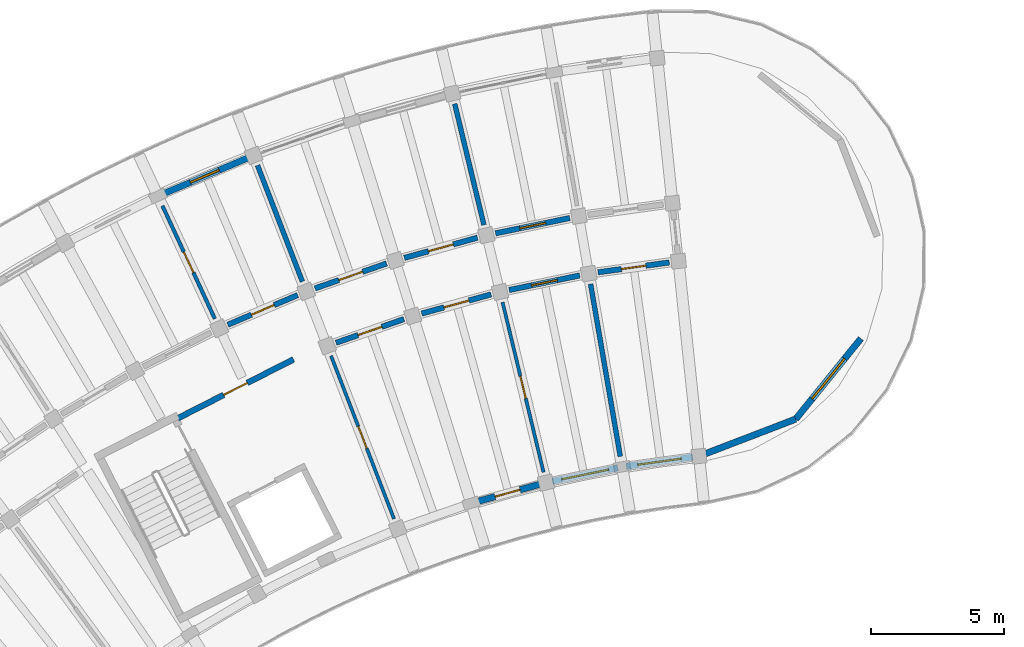
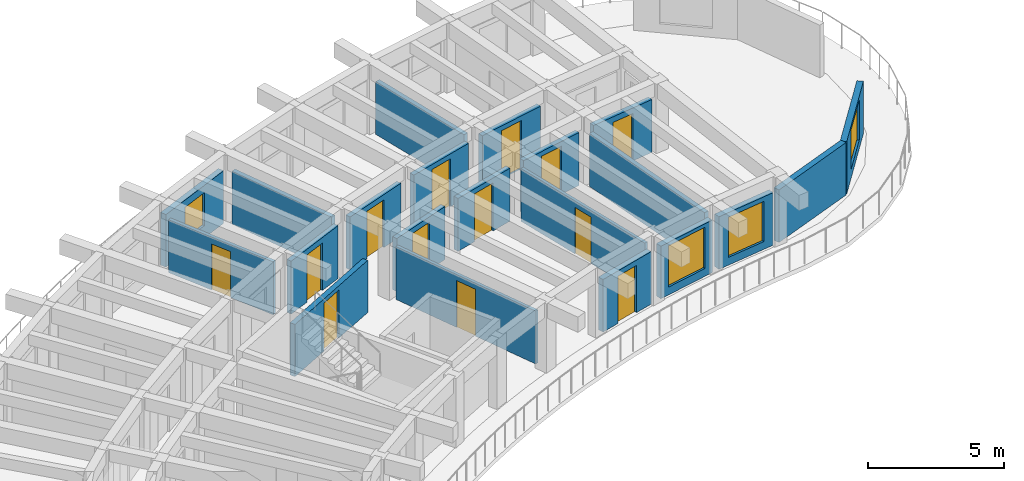
# One storey, part 63 of 96: 21 walls, 13 doors, 4 windows, 17 openings.
"""IFC4 building model written with IfcOpenShell, lengths in metres."""

from ifc_helpers import new_model, si_unit, direction, frame, frame_2d, origin, place, context, subcontext, project, spatial, rectangle, extrude, material, layer, layer_set, type_object, element, fill, save


model = new_model("IFC4")

# Units and contexts
model_context = context("Model", 3, precision=1e-05, world=origin(), true_north=direction((0.0, 1.0)))
body_context = subcontext(model_context, "Body", "Model", "MODEL_VIEW")
ifc_project = project(units=[si_unit("LENGTHUNIT", "METRE"), si_unit("AREAUNIT", "SQUARE_METRE"), si_unit("VOLUMEUNIT", "CUBIC_METRE"), si_unit("PLANEANGLEUNIT", "RADIAN"), si_unit("MASSUNIT", "GRAM", prefix="KILO")], contexts=[model_context])

# Site, building, storey
site_placement = place(None, origin())
site = spatial("IfcSite", under=ifc_project, at=site_placement, CompositionType="ELEMENT")
building_placement = place(site_placement, origin())
building = spatial("IfcBuilding", under=site, at=building_placement, Name="Tanwirah Colonnade Gardens", CompositionType="ELEMENT")
storey_placement = place(building_placement, frame((0.0, 0.0, 12.199951171875)))
storey = spatial("IfcBuildingStorey", under=building, at=storey_placement, Name="L03", CompositionType="ELEMENT", Elevation=12.199951171875)

# Wall, opening, window
ifc_material_1 = material(Name="Limestone architectural precast concrete C40/50", Category="masonry")
ifc_layer_1 = layer(ifc_material_1, 0.2451171875)
ifc_layer_set_1 = layer_set([ifc_layer_1], Name="Limestone architectural precast concrete C40/50")
wall_type_1 = type_object("IfcWallType", Name="EW-PC245", PredefinedType="SOLIDWALL", material=ifc_layer_set_1)
wall_1_placement = place(storey_placement, frame((60.111083984375, 104.372802734375, 0.0), z_axis=(0.0, 0.0, 1.0), x_axis=(-0.990545622952, -0.13718370476, 0.0)))
wall_1 = element("IfcWall", 1, at=wall_1_placement, inside=storey, type_object=wall_type_1, Name="Block A L03 IN Precast Facade Wall 0", PredefinedType="SOLIDWALL", context=body_context, shape_type="SweptSolid", body=[
    extrude(rectangle(XDim=2.525390625, YDim=0.2451171875, at=frame_2d((1.2626953125, 0.0))), origin(), (0.0, 0.0, 1.0), 2.35498046875),
])
opening_1_placement = place(wall_1_placement, frame((0.4375, 0.0, 0.35009765625)))
opening_1 = element("IfcOpeningElement", 2, at=opening_1_placement, cuts=wall_1, Name="Opening WIN-T11", PredefinedType="OPENING", context=body_context, shape_type="SweptSolid", body=[
    extrude(rectangle(XDim=1.64990234375, YDim=1.800048828125, at=frame_2d((0.824951171875, 0.89990234375))), frame((0.0, 0.132568359375, 0.0), z_axis=(0.0, -1.0, 0.0), x_axis=(1.0, 0.0, 0.0)), (0.0, 0.0, 1.0), 0.26513671875),
])
ifc_material_2 = material(Name="Thermally broken bronze aluminium and solar low-E double glazing", Category="aluminium")
window_type_1 = type_object("IfcWindowType", Name="WIN-T11", PartitioningType="DOUBLE_PANEL_VERTICAL", PredefinedType="WINDOW", material=ifc_material_2)
window_1_placement = place(opening_1_placement, origin())
window_1 = element("IfcWindow", 3, at=window_1_placement, inside=storey, type_object=window_type_1, Name="Facade window A-L03-IN-00", OverallHeight=1.800048828125, OverallWidth=1.64990234375, PartitioningType="SINGLE_PANEL", PredefinedType="WINDOW", context=body_context, shape_type="SweptSolid", body=[
    extrude(rectangle(XDim=1.64990234375, YDim=1.800048828125, at=frame_2d((0.824951171875, 0.89990234375))), frame((0.0, 0.030029296875, 0.0), z_axis=(0.0, -1.0, 0.0), x_axis=(1.0, 0.0, 0.0)), (0.0, 0.0, 1.0), 0.06005859375),
])
fill(opening_1, window_1)

wall_2_placement = place(storey_placement, frame((57.29443359375, 103.971923828125, 0.0), z_axis=(0.0, 0.0, 1.0), x_axis=(-0.979334432394, -0.20224754517, 0.0)))
wall_2 = element("IfcWall", 4, at=wall_2_placement, inside=storey, type_object=wall_type_1, Name="Block A L03 IN Precast Facade Wall 1", PredefinedType="SOLIDWALL", context=body_context, shape_type="SweptSolid", body=[
    extrude(rectangle(XDim=2.525390625, YDim=0.2451171875, at=frame_2d((1.2626953125, 0.0))), origin(), (0.0, 0.0, 1.0), 2.35498046875),
])
opening_2_placement = place(wall_2_placement, frame((0.362548828125, 0.0, 0.35009765625)))
opening_2 = element("IfcOpeningElement", 5, at=opening_2_placement, cuts=wall_2, Name="Opening WIN-T14", PredefinedType="OPENING", context=body_context, shape_type="SweptSolid", body=[
    extrude(rectangle(XDim=1.800048828125, YDim=1.85009765625, at=frame_2d((0.89990234375, 0.925048828125))), frame((0.0, 0.132568359375, 0.0), z_axis=(0.0, -1.0, 0.0), x_axis=(1.0, 0.0, 0.0)), (0.0, 0.0, 1.0), 0.26513671875),
])
window_type_2 = type_object("IfcWindowType", Name="WIN-T14", PartitioningType="TRIPLE_PANEL_VERTICAL", PredefinedType="WINDOW", material=ifc_material_2)
window_2_placement = place(opening_2_placement, origin())
window_2 = element("IfcWindow", 6, at=window_2_placement, inside=storey, type_object=window_type_2, Name="Facade window A-L03-IN-01", OverallHeight=1.85009765625, OverallWidth=1.800048828125, PartitioningType="SINGLE_PANEL", PredefinedType="WINDOW", context=body_context, shape_type="SweptSolid", body=[
    extrude(rectangle(XDim=1.800048828125, YDim=1.85009765625, at=frame_2d((0.89990234375, 0.925048828125))), frame((0.0, 0.030029296875, 0.0), z_axis=(0.0, -1.0, 0.0), x_axis=(1.0, 0.0, 0.0)), (0.0, 0.0, 1.0), 0.06005859375),
])
fill(opening_2, window_2)

# Wall, opening, door
wall_3_placement = place(storey_placement, frame((54.34521484375, 103.346435546875, 0.0), z_axis=(0.0, 0.0, 1.0), x_axis=(-0.963901971286, -0.266257375017, 0.0)))
wall_3 = element("IfcWall", 7, at=wall_3_placement, inside=storey, type_object=wall_type_1, Name="Block A L03 IN Precast Facade Wall 2", PredefinedType="SOLIDWALL", context=body_context, shape_type="SweptSolid", body=[
    extrude(rectangle(XDim=2.525146484375, YDim=0.2451171875, at=frame_2d((1.2626953125, 0.0))), origin(), (0.0, 0.0, 1.0), 2.35498046875),
])
opening_3_placement = place(wall_3_placement, frame((0.772705078125, 0.0, 0.0)))
opening_3 = element("IfcOpeningElement", 8, at=opening_3_placement, cuts=wall_3, Name="Opening L03-ED014", PredefinedType="OPENING", context=body_context, shape_type="SweptSolid", body=[
    extrude(rectangle(XDim=0.97998046875, YDim=2.1201171875, at=frame_2d((0.489990234375, 1.06005859375))), frame((0.0, 0.132568359375, 0.0), z_axis=(0.0, -1.0, 0.0), x_axis=(1.0, 0.0, 0.0)), (0.0, 0.0, 1.0), 0.26513671875),
])
ifc_material_3 = material(Name="Bronze aluminium glazed balcony door", Category="aluminium")
door_type_1 = type_object("IfcDoorType", Name="ED-BAL098", OperationType="NOTDEFINED", PredefinedType="DOOR", material=ifc_material_3)
door_1_placement = place(opening_3_placement, origin())
door_1 = element("IfcDoor", 9, at=door_1_placement, inside=storey, type_object=door_type_1, Name="Balcony glazed door L03-ED014", OperationType="SINGLE_SWING_RIGHT", OverallHeight=2.1201171875, OverallWidth=0.97998046875, PredefinedType="DOOR", context=body_context, shape_type="SweptSolid", body=[
    extrude(rectangle(XDim=0.97998046875, YDim=2.1201171875, at=frame_2d((0.489990234375, 1.06005859375))), frame((0.0, 0.02490234375, 0.0), z_axis=(0.0, -1.0, 0.0), x_axis=(1.0, 0.0, 0.0)), (0.0, 0.0, 1.0), 0.050048828125),
])
fill(opening_3, door_1)

# Wall, opening, window
wall_4_placement = place(storey_placement, frame((43.325927734375, 115.657470703125, 0.0), z_axis=(0.0, 0.0, 1.0), x_axis=(-0.920502438884, -0.390736816807, 0.0)))
wall_4 = element("IfcWall", 10, at=wall_4_placement, inside=storey, type_object=wall_type_1, Name="Block A L03 OUT Precast Facade Wall 4", PredefinedType="SOLIDWALL", context=body_context, shape_type="SweptSolid", body=[
    extrude(rectangle(XDim=3.520751953125, YDim=0.2451171875, at=frame_2d((1.76025390625, 0.0))), origin(), (0.0, 0.0, 1.0), 2.35498046875),
])
opening_4_placement = place(wall_4_placement, frame((1.17041015625, 0.0, 0.550048828125)))
opening_4 = element("IfcOpeningElement", 11, at=opening_4_placement, cuts=wall_4, Name="Opening WIN-T16", PredefinedType="OPENING", context=body_context, shape_type="SweptSolid", body=[
    extrude(rectangle(XDim=1.179931640625, YDim=1.47998046875, at=frame_2d((0.58984375, 0.739990234375))), frame((0.0, 0.132568359375, 0.0), z_axis=(0.0, -1.0, 0.0), x_axis=(1.0, 0.0, 0.0)), (0.0, 0.0, 1.0), 0.26513671875),
])
window_type_3 = type_object("IfcWindowType", Name="WIN-T16", PartitioningType="SINGLE_PANEL", PredefinedType="WINDOW", material=ifc_material_2)
window_3_placement = place(opening_4_placement, origin())
window_3 = element("IfcWindow", 12, at=window_3_placement, inside=storey, type_object=window_type_3, Name="Facade window A-L03-OUT-04", OverallHeight=1.47998046875, OverallWidth=1.179931640625, PartitioningType="SINGLE_PANEL", PredefinedType="WINDOW", context=body_context, shape_type="SweptSolid", body=[
    extrude(rectangle(XDim=1.179931640625, YDim=1.47998046875, at=frame_2d((0.58984375, 0.739990234375))), frame((0.0, 0.030029296875, 0.0), z_axis=(0.0, -1.0, 0.0), x_axis=(1.0, 0.0, 0.0)), (0.0, 0.0, 1.0), 0.06005859375),
])
fill(opening_4, window_3)

wall_5_placement = place(storey_placement, frame((66.461669921875, 108.84423828125, 0.0), z_axis=(0.0, 0.0, 1.0), x_axis=(-0.629331205321, -0.777137204109, 0.0)))
wall_5 = element("IfcWall", 13, at=wall_5_placement, inside=storey, type_object=wall_type_1, Name="Block A L03 START Rounded End Wall 4", PredefinedType="SOLIDWALL", context=body_context, shape_type="SweptSolid", body=[
    extrude(rectangle(XDim=3.907958984375, YDim=0.2451171875, at=frame_2d((1.9541015625, 0.0))), origin(), (0.0, 0.0, 1.0), 2.35498046875),
])
opening_5_placement = place(wall_5_placement, frame((0.97900390625, 0.0, 0.39990234375)))
opening_5 = element("IfcOpeningElement", 14, at=opening_5_placement, cuts=wall_5, Name="Opening WIN-END2", PredefinedType="OPENING", context=body_context, shape_type="SweptSolid", body=[
    extrude(rectangle(XDim=1.949951171875, YDim=1.780029296875, at=frame_2d((0.97509765625, 0.89013671875))), frame((0.0, 0.132568359375, 0.0), z_axis=(0.0, -1.0, 0.0), x_axis=(1.0, 0.0, 0.0)), (0.0, 0.0, 1.0), 0.26513671875),
])
window_type_4 = type_object("IfcWindowType", Name="WIN-END2", PartitioningType="TRIPLE_PANEL_VERTICAL", PredefinedType="WINDOW", material=ifc_material_2)
window_4_placement = place(opening_5_placement, origin())
window_4 = element("IfcWindow", 15, at=window_4_placement, inside=storey, type_object=window_type_4, Name="Rounded corner window A-L03-START-4", OverallHeight=1.780029296875, OverallWidth=1.949951171875, PartitioningType="SINGLE_PANEL", PredefinedType="WINDOW", context=body_context, shape_type="SweptSolid", body=[
    extrude(rectangle(XDim=1.949951171875, YDim=1.780029296875, at=frame_2d((0.97509765625, 0.89013671875))), frame((0.0, 0.030029296875, 0.0), z_axis=(0.0, -1.0, 0.0), x_axis=(1.0, 0.0, 0.0)), (0.0, 0.0, 1.0), 0.06005859375),
])
fill(opening_5, window_4)

# Wall
wall_6_placement = place(storey_placement, frame((64.002197265625, 105.80712890625, 0.0), z_axis=(0.0, 0.0, 1.0), x_axis=(-0.93356922619, -0.35839712598, 0.0)))
element("IfcWall", 16, at=wall_6_placement, inside=storey, type_object=wall_type_1, Name="Block A L03 START Rounded End Wall 5", PredefinedType="SOLIDWALL", context=body_context, shape_type="SweptSolid", body=[
    extrude(rectangle(XDim=3.907958984375, YDim=0.2451171875, at=frame_2d((1.9541015625, 0.0))), origin(), (0.0, 0.0, 1.0), 2.35498046875),
])

# Wall, opening, door
ifc_material_4 = material(Name="Precast concrete C40/50", Category="concrete")
ifc_layer_2 = layer(ifc_material_4, 0.205078125)
ifc_layer_set_2 = layer_set([ifc_layer_2], Name="Precast concrete C40/50")
wall_type_2 = type_object("IfcWallType", Name="IW-CORR205", PredefinedType="PARTITIONING", material=ifc_layer_set_2)
wall_7_placement = place(storey_placement, frame((59.2333984375, 111.718017578125, 0.0), z_axis=(0.0, 0.0, 1.0), x_axis=(-0.990535404475, -0.137257467855, 0.0)))
wall_7 = element("IfcWall", 17, at=wall_7_placement, inside=storey, type_object=wall_type_2, Name="Block A L03 IN Corridor Wall 0", PredefinedType="PARTITIONING", context=body_context, shape_type="SweptSolid", body=[
    extrude(rectangle(XDim=2.7177734375, YDim=0.205078125, at=frame_2d((1.35888671875, 0.0))), origin(), (0.0, 0.0, 1.0), 2.3701171875),
])
opening_6_placement = place(wall_7_placement, frame((0.89404296875, 0.0, 0.0)))
opening_6 = element("IfcOpeningElement", 18, at=opening_6_placement, cuts=wall_7, Name="Opening L03-AD347", PredefinedType="OPENING", context=body_context, shape_type="SweptSolid", body=[
    extrude(rectangle(XDim=0.929931640625, YDim=2.1201171875, at=frame_2d((0.46484375, 1.06005859375))), frame((0.0, 0.112548828125, 0.0), z_axis=(0.0, -1.0, 0.0), x_axis=(1.0, 0.0, 0.0)), (0.0, 0.0, 1.0), 0.22509765625),
])
ifc_material_5 = material(Name="Solid oak fire-resisting apartment entrance door")
door_type_2 = type_object("IfcDoorType", Name="ID-FLT093", OperationType="NOTDEFINED", PredefinedType="DOOR", material=ifc_material_5)
door_2_placement = place(opening_6_placement, origin())
door_2 = element("IfcDoor", 19, at=door_2_placement, inside=storey, type_object=door_type_2, Name="Apartment corridor door L03-AD347", OperationType="SINGLE_SWING_LEFT", OverallHeight=2.1201171875, OverallWidth=0.929931640625, PredefinedType="DOOR", context=body_context, shape_type="SweptSolid", body=[
    extrude(rectangle(XDim=0.929931640625, YDim=2.1201171875, at=frame_2d((0.46484375, 1.06005859375))), frame((0.0, 0.02490234375, 0.0), z_axis=(0.0, -1.0, 0.0), x_axis=(1.0, 0.0, 0.0)), (0.0, 0.0, 1.0), 0.050048828125),
])
fill(opening_6, door_2)

wall_8_placement = place(storey_placement, frame((55.47802734375, 113.39404296875, 0.0), z_axis=(0.0, 0.0, 1.0), x_axis=(-0.979348418612, -0.202179808492, 0.0)))
wall_8 = element("IfcWall", 20, at=wall_8_placement, inside=storey, type_object=wall_type_2, Name="Block A L03 OUT Corridor Wall 1", PredefinedType="PARTITIONING", context=body_context, shape_type="SweptSolid", body=[
    extrude(rectangle(XDim=2.863037109375, YDim=0.205078125, at=frame_2d((1.431640625, 0.0))), origin(), (0.0, 0.0, 1.0), 2.3701171875),
])
opening_7_placement = place(wall_8_placement, frame((0.9365234375, 0.0, 0.0)))
opening_7 = element("IfcOpeningElement", 21, at=opening_7_placement, cuts=wall_8, Name="Opening L03-AD349", PredefinedType="OPENING", context=body_context, shape_type="SweptSolid", body=[
    extrude(rectangle(XDim=0.989990234375, YDim=2.159912109375, at=frame_2d((0.4951171875, 1.080078125))), frame((0.0, 0.112548828125, 0.0), z_axis=(0.0, -1.0, 0.0), x_axis=(1.0, 0.0, 0.0)), (0.0, 0.0, 1.0), 0.22509765625),
])
door_type_3 = type_object("IfcDoorType", Name="ID-FLT099", OperationType="NOTDEFINED", PredefinedType="DOOR", material=ifc_material_5)
door_3_placement = place(opening_7_placement, origin())
door_3 = element("IfcDoor", 22, at=door_3_placement, inside=storey, type_object=door_type_3, Name="Apartment corridor door L03-AD349", OperationType="SINGLE_SWING_LEFT", OverallHeight=2.159912109375, OverallWidth=0.989990234375, PredefinedType="DOOR", context=body_context, shape_type="SweptSolid", body=[
    extrude(rectangle(XDim=0.989990234375, YDim=2.159912109375, at=frame_2d((0.4951171875, 1.080078125))), frame((0.0, 0.02490234375, 0.0), z_axis=(0.0, -1.0, 0.0), x_axis=(1.0, 0.0, 0.0)), (0.0, 0.0, 1.0), 0.050048828125),
])
fill(opening_7, door_3)

wall_9_placement = place(storey_placement, frame((55.851806640625, 111.22607421875, 0.0), z_axis=(0.0, 0.0, 1.0), x_axis=(-0.979349423541, -0.202174940608, 0.0)))
wall_9 = element("IfcWall", 23, at=wall_9_placement, inside=storey, type_object=wall_type_2, Name="Block A L03 IN Corridor Wall 1", PredefinedType="PARTITIONING", context=body_context, shape_type="SweptSolid", body=[
    extrude(rectangle(XDim=2.71826171875, YDim=0.205078125, at=frame_2d((1.359130859375, 0.0))), origin(), (0.0, 0.0, 1.0), 2.3701171875),
])
opening_8_placement = place(wall_9_placement, frame((0.864013671875, 0.0, 0.0)))
opening_8 = element("IfcOpeningElement", 24, at=opening_8_placement, cuts=wall_9, Name="Opening L03-AD350", PredefinedType="OPENING", context=body_context, shape_type="SweptSolid", body=[
    extrude(rectangle(XDim=0.989990234375, YDim=2.159912109375, at=frame_2d((0.4951171875, 1.080078125))), frame((0.0, 0.112548828125, 0.0), z_axis=(0.0, -1.0, 0.0), x_axis=(1.0, 0.0, 0.0)), (0.0, 0.0, 1.0), 0.22509765625),
])
door_4_placement = place(opening_8_placement, origin())
door_4 = element("IfcDoor", 25, at=door_4_placement, inside=storey, type_object=door_type_3, Name="Apartment corridor door L03-AD350", OperationType="SINGLE_SWING_RIGHT", OverallHeight=2.159912109375, OverallWidth=0.989990234375, PredefinedType="DOOR", context=body_context, shape_type="SweptSolid", body=[
    extrude(rectangle(XDim=0.989990234375, YDim=2.159912109375, at=frame_2d((0.4951171875, 1.080078125))), frame((0.0, 0.02490234375, 0.0), z_axis=(0.0, -1.0, 0.0), x_axis=(1.0, 0.0, 0.0)), (0.0, 0.0, 1.0), 0.050048828125),
])
fill(opening_8, door_4)

wall_10_placement = place(storey_placement, frame((51.993896484375, 112.651123046875, 0.0), z_axis=(0.0, 0.0, 1.0), x_axis=(-0.963890789093, -0.266297853356, 0.0)))
wall_10 = element("IfcWall", 26, at=wall_10_placement, inside=storey, type_object=wall_type_2, Name="Block A L03 OUT Corridor Wall 2", PredefinedType="PARTITIONING", context=body_context, shape_type="SweptSolid", body=[
    extrude(rectangle(XDim=2.863037109375, YDim=0.205078125, at=frame_2d((1.431640625, 0.0))), origin(), (0.0, 0.0, 1.0), 2.3701171875),
])
opening_9_placement = place(wall_10_placement, frame((0.946533203125, 0.0, 0.0)))
opening_9 = element("IfcOpeningElement", 27, at=opening_9_placement, cuts=wall_10, Name="Opening L03-AD352", PredefinedType="OPENING", context=body_context, shape_type="SweptSolid", body=[
    extrude(rectangle(XDim=0.969970703125, YDim=2.14990234375, at=frame_2d((0.48486328125, 1.074951171875))), frame((0.0, 0.112548828125, 0.0), z_axis=(0.0, -1.0, 0.0), x_axis=(1.0, 0.0, 0.0)), (0.0, 0.0, 1.0), 0.22509765625),
])
door_type_4 = type_object("IfcDoorType", Name="ID-FLT097", OperationType="NOTDEFINED", PredefinedType="DOOR", material=ifc_material_5)
door_5_placement = place(opening_9_placement, origin())
door_5 = element("IfcDoor", 28, at=door_5_placement, inside=storey, type_object=door_type_4, Name="Apartment corridor door L03-AD352", OperationType="SINGLE_SWING_RIGHT", OverallHeight=2.14990234375, OverallWidth=0.969970703125, PredefinedType="DOOR", context=body_context, shape_type="SweptSolid", body=[
    extrude(rectangle(XDim=0.969970703125, YDim=2.14990234375, at=frame_2d((0.48486328125, 1.074951171875))), frame((0.0, 0.02490234375, 0.0), z_axis=(0.0, -1.0, 0.0), x_axis=(1.0, 0.0, 0.0)), (0.0, 0.0, 1.0), 0.050048828125),
])
fill(opening_9, door_5)

wall_11_placement = place(storey_placement, frame((52.509521484375, 110.512451171875, 0.0), z_axis=(0.0, 0.0, 1.0), x_axis=(-0.96388375821, -0.266323301006, 0.0)))
wall_11 = element("IfcWall", 29, at=wall_11_placement, inside=storey, type_object=wall_type_2, Name="Block A L03 IN Corridor Wall 2", PredefinedType="PARTITIONING", context=body_context, shape_type="SweptSolid", body=[
    extrude(rectangle(XDim=2.718017578125, YDim=0.205078125, at=frame_2d((1.35888671875, 0.0))), origin(), (0.0, 0.0, 1.0), 2.3701171875),
])
opening_10_placement = place(wall_11_placement, frame((0.8740234375, 0.0, 0.0)))
opening_10 = element("IfcOpeningElement", 30, at=opening_10_placement, cuts=wall_11, Name="Opening L03-AD353", PredefinedType="OPENING", context=body_context, shape_type="SweptSolid", body=[
    extrude(rectangle(XDim=0.969970703125, YDim=2.14990234375, at=frame_2d((0.48486328125, 1.074951171875))), frame((0.0, 0.112548828125, 0.0), z_axis=(0.0, -1.0, 0.0), x_axis=(1.0, 0.0, 0.0)), (0.0, 0.0, 1.0), 0.22509765625),
])
door_6_placement = place(opening_10_placement, origin())
door_6 = element("IfcDoor", 31, at=door_6_placement, inside=storey, type_object=door_type_4, Name="Apartment corridor door L03-AD353", OperationType="SINGLE_SWING_LEFT", OverallHeight=2.14990234375, OverallWidth=0.969970703125, PredefinedType="DOOR", context=body_context, shape_type="SweptSolid", body=[
    extrude(rectangle(XDim=0.969970703125, YDim=2.14990234375, at=frame_2d((0.48486328125, 1.074951171875))), frame((0.0, 0.02490234375, 0.0), z_axis=(0.0, -1.0, 0.0), x_axis=(1.0, 0.0, 0.0)), (0.0, 0.0, 1.0), 0.050048828125),
])
fill(opening_10, door_6)

wall_12_placement = place(storey_placement, frame((48.56640625, 111.68017578125, 0.0), z_axis=(0.0, 0.0, 1.0), x_axis=(-0.944253820929, -0.329218349522, 0.0)))
wall_12 = element("IfcWall", 32, at=wall_12_placement, inside=storey, type_object=wall_type_2, Name="Block A L03 OUT Corridor Wall 3", PredefinedType="PARTITIONING", context=body_context, shape_type="SweptSolid", body=[
    extrude(rectangle(XDim=2.86328125, YDim=0.205078125, at=frame_2d((1.431640625, 0.0))), origin(), (0.0, 0.0, 1.0), 2.3701171875),
])
opening_11_placement = place(wall_12_placement, frame((0.95654296875, 0.0, 0.0)))
opening_11 = element("IfcOpeningElement", 33, at=opening_11_placement, cuts=wall_12, Name="Opening L03-AD354", PredefinedType="OPENING", context=body_context, shape_type="SweptSolid", body=[
    extrude(rectangle(XDim=0.949951171875, YDim=2.1298828125, at=frame_2d((0.47509765625, 1.06494140625))), frame((0.0, 0.112548828125, 0.0), z_axis=(0.0, -1.0, 0.0), x_axis=(1.0, 0.0, 0.0)), (0.0, 0.0, 1.0), 0.22509765625),
])
door_type_5 = type_object("IfcDoorType", Name="ID-FLT095", OperationType="NOTDEFINED", PredefinedType="DOOR", material=ifc_material_5)
door_7_placement = place(opening_11_placement, origin())
door_7 = element("IfcDoor", 34, at=door_7_placement, inside=storey, type_object=door_type_5, Name="Apartment corridor door L03-AD354", OperationType="SINGLE_SWING_LEFT", OverallHeight=2.1298828125, OverallWidth=0.949951171875, PredefinedType="DOOR", context=body_context, shape_type="SweptSolid", body=[
    extrude(rectangle(XDim=0.949951171875, YDim=2.1298828125, at=frame_2d((0.47509765625, 1.06494140625))), frame((0.0, 0.02490234375, 0.0), z_axis=(0.0, -1.0, 0.0), x_axis=(1.0, 0.0, 0.0)), (0.0, 0.0, 1.0), 0.050048828125),
])
fill(opening_11, door_7)

wall_13_placement = place(storey_placement, frame((49.221923828125, 109.580078125, 0.0), z_axis=(0.0, 0.0, 1.0), x_axis=(-0.944265123647, -0.329185929627, 0.0)))
wall_13 = element("IfcWall", 35, at=wall_13_placement, inside=storey, type_object=wall_type_2, Name="Block A L03 IN Corridor Wall 3", PredefinedType="PARTITIONING", context=body_context, shape_type="SweptSolid", body=[
    extrude(rectangle(XDim=2.71826171875, YDim=0.205078125, at=frame_2d((1.359130859375, 0.0))), origin(), (0.0, 0.0, 1.0), 2.3701171875),
])
opening_12_placement = place(wall_13_placement, frame((0.884033203125, 0.0, 0.0)))
opening_12 = element("IfcOpeningElement", 36, at=opening_12_placement, cuts=wall_13, Name="Opening L03-AD355", PredefinedType="OPENING", context=body_context, shape_type="SweptSolid", body=[
    extrude(rectangle(XDim=0.949951171875, YDim=2.1298828125, at=frame_2d((0.47509765625, 1.06494140625))), frame((0.0, 0.112548828125, 0.0), z_axis=(0.0, -1.0, 0.0), x_axis=(1.0, 0.0, 0.0)), (0.0, 0.0, 1.0), 0.22509765625),
])
door_8_placement = place(opening_12_placement, origin())
door_8 = element("IfcDoor", 37, at=door_8_placement, inside=storey, type_object=door_type_5, Name="Apartment corridor door L03-AD355", OperationType="SINGLE_SWING_RIGHT", OverallHeight=2.1298828125, OverallWidth=0.949951171875, PredefinedType="DOOR", context=body_context, shape_type="SweptSolid", body=[
    extrude(rectangle(XDim=0.949951171875, YDim=2.1298828125, at=frame_2d((0.47509765625, 1.06494140625))), frame((0.0, 0.02490234375, 0.0), z_axis=(0.0, -1.0, 0.0), x_axis=(1.0, 0.0, 0.0)), (0.0, 0.0, 1.0), 0.050048828125),
])
fill(opening_12, door_8)

wall_14_placement = place(storey_placement, frame((45.210205078125, 110.485595703125, 0.0), z_axis=(0.0, 0.0, 1.0), x_axis=(-0.920511160294, -0.390716270168, 0.0)))
wall_14 = element("IfcWall", 38, at=wall_14_placement, inside=storey, type_object=wall_type_2, Name="Block A L03 OUT Corridor Wall 4", PredefinedType="PARTITIONING", context=body_context, shape_type="SweptSolid", body=[
    extrude(rectangle(XDim=2.863037109375, YDim=0.205078125, at=frame_2d((1.431640625, 0.0))), origin(), (0.0, 0.0, 1.0), 2.3701171875),
])
opening_13_placement = place(wall_14_placement, frame((0.966552734375, 0.0, 0.0)))
opening_13 = element("IfcOpeningElement", 39, at=opening_13_placement, cuts=wall_14, Name="Opening L03-AD357", PredefinedType="OPENING", context=body_context, shape_type="SweptSolid", body=[
    extrude(rectangle(XDim=0.929931640625, YDim=2.1201171875, at=frame_2d((0.46484375, 1.06005859375))), frame((0.0, 0.112548828125, 0.0), z_axis=(0.0, -1.0, 0.0), x_axis=(1.0, 0.0, 0.0)), (0.0, 0.0, 1.0), 0.22509765625),
])
door_9_placement = place(opening_13_placement, origin())
door_9 = element("IfcDoor", 40, at=door_9_placement, inside=storey, type_object=door_type_2, Name="Apartment corridor door L03-AD357", OperationType="SINGLE_SWING_RIGHT", OverallHeight=2.1201171875, OverallWidth=0.929931640625, PredefinedType="DOOR", context=body_context, shape_type="SweptSolid", body=[
    extrude(rectangle(XDim=0.929931640625, YDim=2.1201171875, at=frame_2d((0.46484375, 1.06005859375))), frame((0.0, 0.02490234375, 0.0), z_axis=(0.0, -1.0, 0.0), x_axis=(1.0, 0.0, 0.0)), (0.0, 0.0, 1.0), 0.050048828125),
])
fill(opening_13, door_9)

# Walls
ifc_layer_3 = layer(ifc_material_4, 0.18505859375)
ifc_layer_set_3 = layer_set([ifc_layer_3], Name="Precast concrete C40/50")
wall_type_3 = type_object("IfcWallType", Name="IW-DEM185", PredefinedType="PARTITIONING", material=ifc_layer_set_3)
wall_15_placement = place(storey_placement, frame((57.38330078125, 104.3984375, 0.0), z_axis=(0.0, 0.0, 1.0), x_axis=(-0.169825160084, 0.985474208187, 0.0)))
element("IfcWall", 41, at=wall_15_placement, inside=storey, type_object=wall_type_3, Name="Block A L03 Inner Radial Partition 0", PredefinedType="PARTITIONING", context=body_context, shape_type="SweptSolid", body=[
    extrude(rectangle(XDim=6.60009765625, YDim=0.18505859375, at=frame_2d((3.300048828125, 0.0))), origin(), (0.0, 0.0, 1.0), 2.3701171875),
])
wall_16_placement = place(storey_placement, frame((52.237548828125, 113.13330078125, 0.0), z_axis=(0.0, 0.0, 1.0), x_axis=(-0.234386624934, 0.972143461662, 0.0)))
element("IfcWall", 42, at=wall_16_placement, inside=storey, type_object=wall_type_3, Name="Block A L03 Radial Partition 1", PredefinedType="PARTITIONING", context=body_context, shape_type="SweptSolid", body=[
    extrude(rectangle(XDim=4.69970703125, YDim=0.18505859375, at=frame_2d((2.349853515625, 0.0))), origin(), (0.0, 0.0, 1.0), 2.3701171875),
])
wall_17_placement = place(storey_placement, frame((45.388427734375, 110.99560546875, 0.0), z_axis=(0.0, 0.0, 1.0), x_axis=(-0.360186633854, 0.932880264982, 0.0)))
element("IfcWall", 43, at=wall_17_placement, inside=storey, type_object=wall_type_3, Name="Block A L03 Radial Partition 3", PredefinedType="PARTITIONING", context=body_context, shape_type="SweptSolid", body=[
    extrude(rectangle(XDim=4.699951171875, YDim=0.18505859375, at=frame_2d((2.35009765625, 0.0))), origin(), (0.0, 0.0, 1.0), 2.3701171875),
])

# Wall, opening, door
ifc_material_6 = material(Name="Autoclaved aerated masonry blockwork", Category="masonry")
ifc_layer_4 = layer(ifc_material_6, 0.219970703125)
ifc_layer_set_4 = layer_set([ifc_layer_4], Name="Autoclaved aerated masonry blockwork")
wall_type_4 = type_object("IfcWallType", Name="IW-FFL220", PredefinedType="PARTITIONING", material=ifc_layer_set_4)
wall_18_placement = place(storey_placement, frame((40.68212890625, 105.833740234375, 0.0), z_axis=(0.0, 0.0, 1.0), x_axis=(0.891003372311, 0.453996685595, 0.0)))
wall_18 = element("IfcWall", 44, at=wall_18_placement, inside=storey, type_object=wall_type_4, Name="CORE-A1 L03 Enclosed Lobby Fire Wall", PredefinedType="PARTITIONING", context=body_context, shape_type="SweptSolid", body=[
    extrude(rectangle(XDim=4.900146484375, YDim=0.219970703125, at=frame_2d((2.4501953125, 0.0))), origin(), (0.0, 0.0, 1.0), 2.340087890625),
])
opening_14_placement = place(wall_18_placement, frame((1.949951171875, 0.0, 0.0)))
opening_14 = element("IfcOpeningElement", 45, at=opening_14_placement, cuts=wall_18, Name="Opening L03-LD021", PredefinedType="OPENING", context=body_context, shape_type="SweptSolid", body=[
    extrude(rectangle(XDim=1.0, YDim=2.14990234375, at=frame_2d((0.5, 1.074951171875))), frame((0.0, 0.119873046875, 0.0), z_axis=(0.0, -1.0, 0.0), x_axis=(1.0, 0.0, 0.0)), (0.0, 0.0, 1.0), 0.239990234375),
])
ifc_material_7 = material(Name="Acoustic fire-resisting lobby door")
door_type_6 = type_object("IfcDoorType", Name="ID-FFL100", OperationType="NOTDEFINED", PredefinedType="DOOR", material=ifc_material_7)
door_10_placement = place(opening_14_placement, origin())
door_10 = element("IfcDoor", 46, at=door_10_placement, inside=storey, type_object=door_type_6, Name="CORE-A1 L03 Lobby Fire Door L03-LD021", OperationType="SINGLE_SWING_RIGHT", OverallHeight=2.14990234375, OverallWidth=1.0, PredefinedType="DOOR", context=body_context, shape_type="SweptSolid", body=[
    extrude(rectangle(XDim=1.0, YDim=2.14990234375, at=frame_2d((0.5, 1.074951171875))), frame((0.0, 0.02490234375, 0.0), z_axis=(0.0, -1.0, 0.0), x_axis=(1.0, 0.0, 0.0)), (0.0, 0.0, 1.0), 0.050048828125),
])
fill(opening_14, door_10)

ifc_material_8 = material(Name="Moisture-resistant gypsum stud partition")
ifc_layer_5 = layer(ifc_material_8, 0.125)
ifc_layer_set_5 = layer_set([ifc_layer_5], Name="Moisture-resistant gypsum stud partition")
wall_type_5 = type_object("IfcWallType", Name="IW-INT125", PredefinedType="PARTITIONING", material=ifc_layer_set_5)
wall_19_placement = place(storey_placement, frame((54.48779296875, 103.800537109375, 0.0), z_axis=(0.0, 0.0, 1.0), x_axis=(-0.234406698576, 0.972138621629, 0.0)))
wall_19 = element("IfcWall", 47, at=wall_19_placement, inside=storey, type_object=wall_type_5, Name="Block A L03 Inner Radial Partition 1", PredefinedType="PARTITIONING", context=body_context, shape_type="SweptSolid", body=[
    extrude(rectangle(XDim=6.60009765625, YDim=0.125, at=frame_2d((3.300048828125, 0.0))), origin(), (0.0, 0.0, 1.0), 2.3701171875),
])
opening_15_placement = place(wall_19_placement, frame((2.864990234375, 0.0, 0.0)))
opening_15 = element("IfcOpeningElement", 48, at=opening_15_placement, cuts=wall_19, Name="Opening L03-RD351", PredefinedType="OPENING", context=body_context, shape_type="SweptSolid", body=[
    extrude(rectangle(XDim=0.8701171875, YDim=2.080078125, at=frame_2d((0.43505859375, 1.0400390625))), frame((0.0, 0.072509765625, 0.0), z_axis=(0.0, -1.0, 0.0), x_axis=(1.0, 0.0, 0.0)), (0.0, 0.0, 1.0), 0.14501953125),
])
ifc_material_9 = material(Name="Painted hardwood study door", Category="wood")
door_type_7 = type_object("IfcDoorType", Name="ID-RM087", OperationType="NOTDEFINED", PredefinedType="DOOR", material=ifc_material_9)
door_11_placement = place(opening_15_placement, origin())
door_11 = element("IfcDoor", 49, at=door_11_placement, inside=storey, type_object=door_type_7, Name="Internal apartment door L03-RD351", OperationType="SINGLE_SWING_RIGHT", OverallHeight=2.080078125, OverallWidth=0.8701171875, PredefinedType="DOOR", context=body_context, shape_type="SweptSolid", body=[
    extrude(rectangle(XDim=0.8701171875, YDim=2.080078125, at=frame_2d((0.43505859375, 1.0400390625))), frame((0.0, 0.02490234375, 0.0), z_axis=(0.0, -1.0, 0.0), x_axis=(1.0, 0.0, 0.0)), (0.0, 0.0, 1.0), 0.050048828125),
])
fill(opening_15, door_11)

wall_20_placement = place(storey_placement, frame((48.845947265625, 102.039794921875, 0.0), z_axis=(0.0, 0.0, 1.0), x_axis=(-0.360183473608, 0.932881485152, 0.0)))
wall_20 = element("IfcWall", 50, at=wall_20_placement, inside=storey, type_object=wall_type_5, Name="Block A L03 Inner Radial Partition 3", PredefinedType="PARTITIONING", context=body_context, shape_type="SweptSolid", body=[
    extrude(rectangle(XDim=6.599853515625, YDim=0.125, at=frame_2d((3.2998046875, 0.0))), origin(), (0.0, 0.0, 1.0), 2.3701171875),
])
opening_16_placement = place(wall_20_placement, frame((2.85498046875, 0.0, 0.0)))
opening_16 = element("IfcOpeningElement", 51, at=opening_16_placement, cuts=wall_20, Name="Opening L03-RD356", PredefinedType="OPENING", context=body_context, shape_type="SweptSolid", body=[
    extrude(rectangle(XDim=0.889892578125, YDim=2.10009765625, at=frame_2d((0.44482421875, 1.050048828125))), frame((0.0, 0.072509765625, 0.0), z_axis=(0.0, -1.0, 0.0), x_axis=(1.0, 0.0, 0.0)), (0.0, 0.0, 1.0), 0.14501953125),
])
ifc_material_10 = material(Name="Painted hardwood bedroom door", Category="wood")
door_type_8 = type_object("IfcDoorType", Name="ID-RM089", OperationType="NOTDEFINED", PredefinedType="DOOR", material=ifc_material_10)
door_12_placement = place(opening_16_placement, origin())
door_12 = element("IfcDoor", 52, at=door_12_placement, inside=storey, type_object=door_type_8, Name="Internal apartment door L03-RD356", OperationType="SINGLE_SWING_RIGHT", OverallHeight=2.10009765625, OverallWidth=0.889892578125, PredefinedType="DOOR", context=body_context, shape_type="SweptSolid", body=[
    extrude(rectangle(XDim=0.889892578125, YDim=2.10009765625, at=frame_2d((0.44482421875, 1.050048828125))), frame((0.0, 0.02490234375, 0.0), z_axis=(0.0, -1.0, 0.0), x_axis=(1.0, 0.0, 0.0)), (0.0, 0.0, 1.0), 0.050048828125),
])
fill(opening_16, door_12)

ifc_material_11 = material(Name="Water-resistant acoustic plumbing partition")
ifc_layer_6 = layer(ifc_material_11, 0.139892578125)
ifc_layer_set_6 = layer_set([ifc_layer_6], Name="Water-resistant acoustic plumbing partition")
wall_type_6 = type_object("IfcWallType", Name="IW-WET140", PredefinedType="PLUMBINGWALL", material=ifc_layer_set_6)
wall_21_placement = place(storey_placement, frame((42.084228515625, 109.593017578125, 0.0), z_axis=(0.0, 0.0, 1.0), x_axis=(-0.420862519045, 0.907124434718, 0.0)))
wall_21 = element("IfcWall", 53, at=wall_21_placement, inside=storey, type_object=wall_type_6, Name="Block A L03 Radial Partition 4", PredefinedType="PLUMBINGWALL", context=body_context, shape_type="SweptSolid", body=[
    extrude(rectangle(XDim=4.699951171875, YDim=0.139892578125, at=frame_2d((2.35009765625, 0.0))), origin(), (0.0, 0.0, 1.0), 2.3701171875),
])
opening_17_placement = place(wall_21_placement, frame((1.919921875, 0.0, 0.0)))
opening_17 = element("IfcOpeningElement", 54, at=opening_17_placement, cuts=wall_21, Name="Opening L03-RD358", PredefinedType="OPENING", context=body_context, shape_type="SweptSolid", body=[
    extrude(rectangle(XDim=0.860107421875, YDim=2.06005859375, at=frame_2d((0.43017578125, 1.030029296875))), frame((0.0, 0.079833984375, 0.0), z_axis=(0.0, -1.0, 0.0), x_axis=(1.0, 0.0, 0.0)), (0.0, 0.0, 1.0), 0.159912109375),
])
ifc_material_12 = material(Name="Moisture-resistant bathroom door")
door_type_9 = type_object("IfcDoorType", Name="ID-WET086", OperationType="NOTDEFINED", PredefinedType="DOOR", material=ifc_material_12)
door_13_placement = place(opening_17_placement, origin())
door_13 = element("IfcDoor", 55, at=door_13_placement, inside=storey, type_object=door_type_9, Name="Internal apartment door L03-RD358", OperationType="SINGLE_SWING_RIGHT", OverallHeight=2.06005859375, OverallWidth=0.860107421875, PredefinedType="DOOR", context=body_context, shape_type="SweptSolid", body=[
    extrude(rectangle(XDim=0.860107421875, YDim=2.06005859375, at=frame_2d((0.43017578125, 1.030029296875))), frame((0.0, 0.02490234375, 0.0), z_axis=(0.0, -1.0, 0.0), x_axis=(1.0, 0.0, 0.0)), (0.0, 0.0, 1.0), 0.050048828125),
])
fill(opening_17, door_13)

save(model, "model.ifc")
